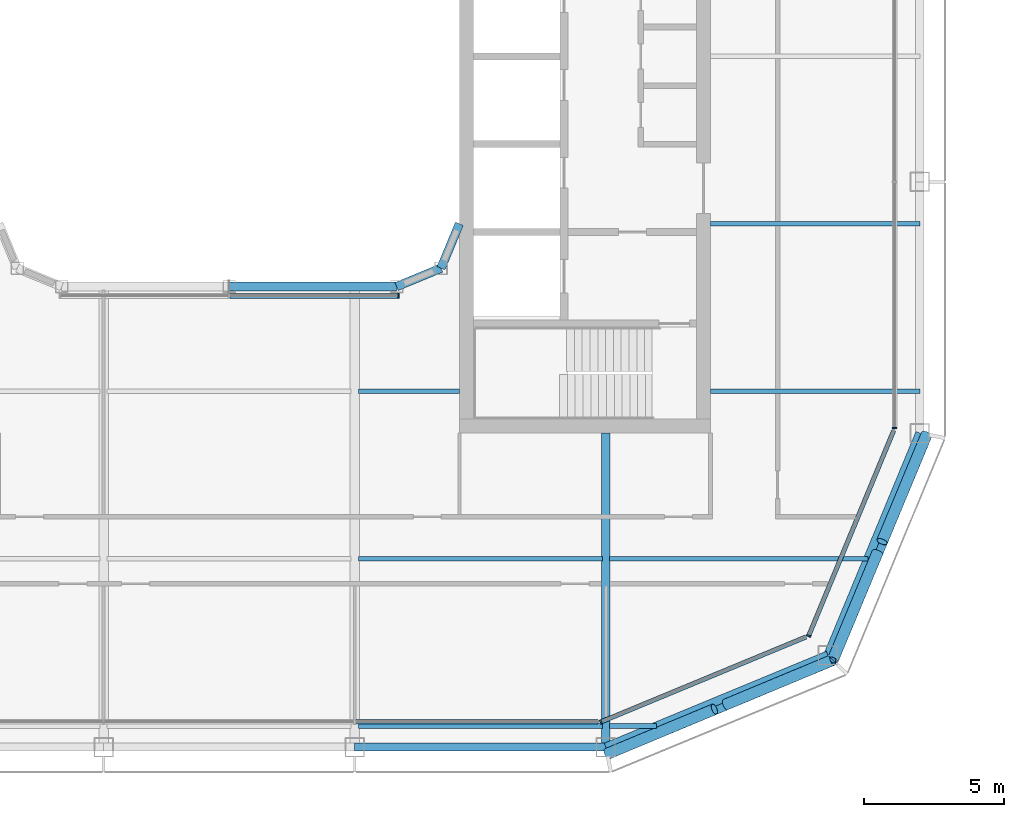
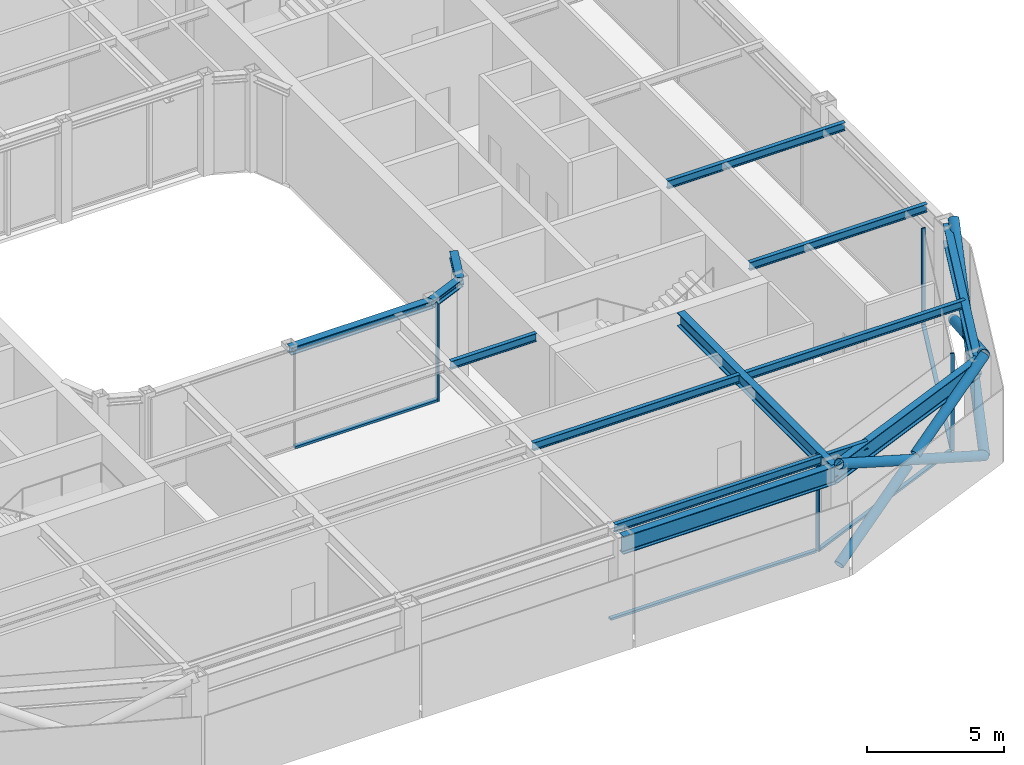
# One storey, part 5 of 21: 14 beams, 14 members, 5 elements without a shape of their own.
"""IFC4 building model written with IfcOpenShell, lengths in metres."""

from ifc_helpers import new_model, si_unit, direction, frame, origin, origin_2d, place, context, subcontext, project, spatial, rectangle, hollow_circle, i_section, extrude, material, layer, layer_set, material_profile, profile_set, type_object, element, aggregate, save


model = new_model("IFC4")

# Units and contexts
model_context = context("Model", 3, precision=1e-05, world=origin(), true_north=direction((0.0, 1.0)))
body_context = subcontext(model_context, "Body", "Model", "MODEL_VIEW")
ifc_project = project(units=[si_unit("LENGTHUNIT", "METRE"), si_unit("AREAUNIT", "SQUARE_METRE"), si_unit("VOLUMEUNIT", "CUBIC_METRE"), si_unit("PLANEANGLEUNIT", "RADIAN"), si_unit("MASSUNIT", "GRAM", prefix="KILO")], contexts=[model_context])

# Site, building, storey
site_placement = place(None, origin())
site = spatial("IfcSite", under=ifc_project, at=site_placement, CompositionType="ELEMENT")
building_placement = place(site_placement, origin())
building = spatial("IfcBuilding", under=site, at=building_placement, Name="Siwar Civic Tower", CompositionType="ELEMENT")
storey_placement = place(building_placement, frame((0.0, 0.0, 325.699951171875)))
storey = spatial("IfcBuildingStorey", under=building, at=storey_placement, Name="L70", CompositionType="ELEMENT", Elevation=325.699951171875)

# Curtain wall, member
ifc_material_1 = material(Name="Aluminium clad insulated panel", Category="aluminium")
ifc_layer_1 = layer(ifc_material_1, 0.159912109375)
ifc_layer_set_1 = layer_set([ifc_layer_1], Name="Aluminium clad insulated panel")
curtain_wall_type_1 = type_object("IfcCurtainWallType", Name="ENV-CW-DX", PredefinedType="NOTDEFINED", material=ifc_layer_set_1)
curtain_wall_1_placement = place(storey_placement, origin())
curtain_wall_1 = element("IfcCurtainWall", 1, at=curtain_wall_1_placement, inside=storey, type_object=curtain_wall_type_1, Name="Curtain wall D SE1", PredefinedType="NOTDEFINED")
ifc_material_2 = material(Name="Aluminium 6063-T6", Category="aluminium")
ifc_material_profile_1 = material_profile(ifc_material_2, rectangle(XDim=0.159912109375, YDim=0.06005859375, at=origin_2d()), Name="AL 160x60")
ifc_profile_set_1 = profile_set([ifc_material_profile_1], Name="Aluminium 6063-T6")
member_type_1 = type_object("IfcMemberType", Name="ENV-MULLION-D", PredefinedType="MULLION", material=ifc_profile_set_1)
member_1_placement = place(storey_placement, frame((13.321044921875, -23.85009765625, 0.0), z_axis=(0.0, 0.0, 1.0), x_axis=(-0.382683432365, 0.923879532511, 0.0)))
member_1 = element("IfcMember", 2, at=member_1_placement, type_object=member_type_1, Name="Mullion D SE1 1", PredefinedType="MULLION", context=body_context, shape_type="SweptSolid", body=[
    extrude(rectangle(XDim=0.159912109375, YDim=0.06005859375, at=origin_2d()), origin(), (0.0, 0.0, 1.0), 4.35009765625),
])

curtain_wall_2_placement = place(storey_placement, origin())
curtain_wall_2 = element("IfcCurtainWall", 3, at=curtain_wall_2_placement, inside=storey, type_object=curtain_wall_type_1, Name="Curtain wall D SE2", PredefinedType="NOTDEFINED")
member_2_placement = place(storey_placement, frame((20.76611328125, -20.76611328125, 0.0), z_axis=(0.0, 0.0, 1.0), x_axis=(-0.923879532511, 0.382683432365, 0.0)))
member_2 = element("IfcMember", 4, at=member_2_placement, type_object=member_type_1, Name="Mullion D SE2 1", PredefinedType="MULLION", context=body_context, shape_type="SweptSolid", body=[
    extrude(rectangle(XDim=0.159912109375, YDim=0.06005859375, at=origin_2d()), origin(), (0.0, 0.0, 1.0), 4.35009765625),
])

ifc_material_3 = material(Name="Aluminium and glass", Category="aluminium")
ifc_layer_2 = layer(ifc_material_3, 0.159912109375)
ifc_layer_set_2 = layer_set([ifc_layer_2], Name="Aluminium and glass")
curtain_wall_type_2 = type_object("IfcCurtainWallType", Name="ENV-CW-D", PredefinedType="NOTDEFINED", material=ifc_layer_set_2)
curtain_wall_3_placement = place(storey_placement, origin())
curtain_wall_3 = element("IfcCurtainWall", 5, at=curtain_wall_3_placement, inside=storey, type_object=curtain_wall_type_2, Name="Curtain wall D E", PredefinedType="NOTDEFINED")
member_3_placement = place(storey_placement, frame((23.85009765625, -13.321044921875, 0.0), z_axis=(0.0, 0.0, 1.0), x_axis=(-1.0, 0.0, 0.0)))
member_3 = element("IfcMember", 6, at=member_3_placement, type_object=member_type_1, Name="Mullion D E 1", PredefinedType="MULLION", context=body_context, shape_type="SweptSolid", body=[
    extrude(rectangle(XDim=0.159912109375, YDim=0.06005859375, at=origin_2d()), origin(), (0.0, 0.0, 1.0), 4.35009765625),
])
aggregate(curtain_wall_3, [member_3])

ifc_material_4 = material(Name="Aluminium and glass", Category="aluminium")
ifc_layer_3 = layer(ifc_material_4, 0.179931640625)
ifc_layer_set_3 = layer_set([ifc_layer_3], Name="Aluminium and glass")
curtain_wall_type_3 = type_object("IfcCurtainWallType", Name="ENV-CW-W", PredefinedType="NOTDEFINED", material=ifc_layer_set_3)
curtain_wall_4_placement = place(storey_placement, origin())
curtain_wall_4 = element("IfcCurtainWall", 7, at=curtain_wall_4_placement, inside=storey, type_object=curtain_wall_type_3, Name="Curtain wall W WS", PredefinedType="NOTDEFINED")
ifc_material_5 = material(Name="Aluminium 6063-T6", Category="aluminium")
ifc_material_profile_2 = material_profile(ifc_material_5, rectangle(XDim=0.179931640625, YDim=0.06005859375, at=origin_2d()), Name="AL 180x60")
ifc_profile_set_2 = profile_set([ifc_material_profile_2], Name="Aluminium 6063-T6")
member_type_2 = type_object("IfcMemberType", Name="ENV-MULLION-W", PredefinedType="MULLION", material=ifc_profile_set_2)
member_4_placement = place(storey_placement, frame((6.066650390625, -8.5849609375, 0.0), z_axis=(0.0, 0.0, 1.0), x_axis=(0.0, 1.0, 0.0)))
member_4 = element("IfcMember", 8, at=member_4_placement, type_object=member_type_2, Name="Mullion W WS 3", PredefinedType="MULLION", context=body_context, shape_type="SweptSolid", body=[
    extrude(rectangle(XDim=0.179931640625, YDim=0.06005859375, at=origin_2d()), origin(), (0.0, 0.0, 1.0), 4.35009765625),
])

curtain_wall_5_placement = place(storey_placement, origin())
curtain_wall_5 = element("IfcCurtainWall", 9, at=curtain_wall_5_placement, inside=storey, type_object=curtain_wall_type_2, Name="Curtain wall D S", PredefinedType="NOTDEFINED")
ifc_material_6 = material(Name="Aluminium 6063-T6", Category="aluminium")
ifc_material_profile_3 = material_profile(ifc_material_6, rectangle(XDim=0.159912109375, YDim=0.10009765625, at=origin_2d()), Name="AL 160x100")
ifc_profile_set_3 = profile_set([ifc_material_profile_3], Name="Aluminium 6063-T6")
member_type_3 = type_object("IfcMemberType", Name="ENV-TRANSOM-D", PredefinedType="USERDEFINED", material=ifc_profile_set_3)
member_5_placement = place(storey_placement, frame((4.530029296875, -23.85009765625, 0.050048828125), z_axis=(1.0, 0.0, 0.0), x_axis=(0.0, 1.0, 0.0)))
member_5 = element("IfcMember", 10, at=member_5_placement, type_object=member_type_3, Name="Transom D S 3", ObjectType="TRANSOM", PredefinedType="USERDEFINED", context=body_context, shape_type="SweptSolid", body=[
    extrude(rectangle(XDim=0.159912109375, YDim=0.10009765625, at=origin_2d()), origin(), (0.0, 0.0, 1.0), 8.693115234375),
])
aggregate(curtain_wall_5, [member_5])

# Member
member_6_placement = place(storey_placement, frame((13.3486328125, -23.838623046875, 0.050048828125), z_axis=(0.923872756612, 0.382699790424, 0.0), x_axis=(-0.382699790424, 0.923872756612, 0.0)))
member_6 = element("IfcMember", 11, at=member_6_placement, type_object=member_type_3, Name="Transom D SE1 1", ObjectType="TRANSOM", PredefinedType="USERDEFINED", context=body_context, shape_type="SweptSolid", body=[
    extrude(rectangle(XDim=0.159912109375, YDim=0.10009765625, at=origin_2d()), origin(), (0.0, 0.0, 1.0), 7.930908203125),
])

aggregate(curtain_wall_1, [member_1, member_6])

member_7_placement = place(storey_placement, frame((20.777587890625, -20.738525390625, 0.050048828125), z_axis=(0.382673515031, 0.923883640343, 0.0), x_axis=(-0.923883640343, 0.382673515031, 0.0)))
member_7 = element("IfcMember", 12, at=member_7_placement, type_object=member_type_3, Name="Transom D SE2 1", ObjectType="TRANSOM", PredefinedType="USERDEFINED", context=body_context, shape_type="SweptSolid", body=[
    extrude(rectangle(XDim=0.159912109375, YDim=0.10009765625, at=origin_2d()), origin(), (0.0, 0.0, 1.0), 7.930908203125),
])

aggregate(curtain_wall_2, [member_2, member_7])

ifc_material_7 = material(Name="Aluminium 6063-T6", Category="aluminium")
ifc_material_profile_4 = material_profile(ifc_material_7, rectangle(XDim=0.179931640625, YDim=0.10009765625, at=origin_2d()), Name="AL 180x100")
ifc_profile_set_4 = profile_set([ifc_material_profile_4], Name="Aluminium 6063-T6")
member_type_4 = type_object("IfcMemberType", Name="ENV-TRANSOM-W", PredefinedType="USERDEFINED", material=ifc_profile_set_4)
member_8_placement = place(storey_placement, frame((0.030029296875, -8.5849609375, 0.050048828125), z_axis=(1.0, 0.0, 0.0), x_axis=(0.0, 1.0, 0.0)))
member_8 = element("IfcMember", 13, at=member_8_placement, type_object=member_type_4, Name="Transom W WS 2", ObjectType="TRANSOM", PredefinedType="USERDEFINED", context=body_context, shape_type="SweptSolid", body=[
    extrude(rectangle(XDim=0.179931640625, YDim=0.10009765625, at=origin_2d()), origin(), (0.0, 0.0, 1.0), 6.006591796875),
])

aggregate(curtain_wall_4, [member_4, member_8])

# Members
ifc_material_8 = material(Name="Steel S355", Category="steel")
ifc_material_profile_5 = material_profile(ifc_material_8, hollow_circle(Radius=0.203125, WallThickness=0.01611328125, at=origin_2d()), Name="CHS406.4x16")
ifc_profile_set_5 = profile_set([ifc_material_profile_5], Name="Steel S355")
member_type_5 = type_object("IfcMemberType", Name="STR-BR-CHS406.4x16", PredefinedType="BRACE", material=ifc_profile_set_5)
member_9_placement = place(storey_placement, frame((21.6318359375, -21.6318359375, 0.0), z_axis=(0.341671493852, 0.821142553604, 0.457149315816), x_axis=(-0.923264922524, 0.384163874976, 0.0)))
element("IfcMember", 14, at=member_9_placement, inside=storey, type_object=member_type_5, Name="L70/brc/DSE1-9-0-1", PredefinedType="BRACE", context=body_context, shape_type="SweptSolid", body=[
    extrude(hollow_circle(Radius=0.203125, WallThickness=0.01611328125, at=origin_2d()), origin(), (0.0, 0.0, 1.0), 9.843505859375),
])
for number, where, z_axis, x_axis, name in (
    (15, (24.9951171875, -13.548828125, 0.0), (-0.341659024948, -0.821130093572, 0.45718101459), (0.923267827529, -0.384156893273, 0.0), "L70/brc/DSE1-9-0-2"),
    (16, (23.229736328125, -17.791259765625, 2.362060546875), (-0.341652533125, -0.821166691915, 0.457120127208), (0.923276488787, -0.38413607648, 0.0), "L70/brc/DSE1-9-0-3"),
):
    element("IfcMember", number, at=place(storey_placement, frame(where, z_axis=z_axis, x_axis=x_axis)), inside=storey, type_object=member_type_5, Name=name, PredefinedType="BRACE", context=body_context, shape_type="SweptSolid", body=[
        extrude(hollow_circle(Radius=0.203125, WallThickness=0.01611328125, at=origin_2d()), origin(), (0.0, 0.0, 1.0), 4.677001953125),
    ])
member_10_placement = place(storey_placement, frame((21.6318359375, -21.6318359375, 0.0), z_axis=(-0.821142553604, -0.341671493852, 0.457149315816), x_axis=(0.384163874976, -0.923264922524, 0.0)))
element("IfcMember", 17, at=member_10_placement, inside=storey, type_object=member_type_5, Name="L70/brc/DSE1-9-0-0", PredefinedType="BRACE", context=body_context, shape_type="SweptSolid", body=[
    extrude(hollow_circle(Radius=0.203125, WallThickness=0.01611328125, at=origin_2d()), origin(), (0.0, 0.0, 1.0), 9.843505859375),
])
for number, where, z_axis, x_axis, name in (
    (18, (13.548828125, -24.9951171875, 0.0), (0.821130093572, 0.341659024948, 0.45718101459), (-0.384156893273, 0.923267827529, 0.0), "L70/brc/DSE1-9-0-4"),
    (19, (17.791259765625, -23.229736328125, 2.362060546875), (0.821166691915, 0.341652533125, 0.457120127208), (-0.38413607648, 0.923276488787, 0.0), "L70/brc/DSE1-9-0-5"),
):
    element("IfcMember", number, at=place(storey_placement, frame(where, z_axis=z_axis, x_axis=x_axis)), inside=storey, type_object=member_type_5, Name=name, PredefinedType="BRACE", context=body_context, shape_type="SweptSolid", body=[
        extrude(hollow_circle(Radius=0.203125, WallThickness=0.01611328125, at=origin_2d()), origin(), (0.0, 0.0, 1.0), 4.677001953125),
    ])

# Beams
ifc_material_9 = material(Name="Steel S355", Category="steel")
ifc_material_profile_6 = material_profile(ifc_material_9, i_section(OverallWidth=0.169921875, OverallDepth=0.360107421875, WebThickness=0.008056640625, FlangeThickness=0.0126953125, FilletRadius=0.01806640625, at=origin_2d()), Name="IPE360")
ifc_profile_set_6 = profile_set([ifc_material_profile_6], Name="Steel S355")
beam_type_1 = type_object("IfcBeamType", Name="STR-FB-IPE360", PredefinedType="JOIST", material=ifc_profile_set_6)
beam_1_placement = place(storey_placement, frame((4.6298828125, -24.0, 4.170166015625), z_axis=(1.0, 0.0, 0.0), x_axis=(0.0, 1.0, 0.0)))
element("IfcBeam", 20, at=beam_1_placement, inside=storey, type_object=beam_type_1, Name="L70/bm/F004", PredefinedType="JOIST", context=body_context, shape_type="SweptSolid", body=[
    extrude(i_section(OverallWidth=0.169921875, OverallDepth=0.360107421875, WebThickness=0.008056640625, FlangeThickness=0.0126953125, FilletRadius=0.01806640625, at=origin_2d()), origin(), (0.0, 0.0, 1.0), 8.740234375),
])
beam_2_placement = place(storey_placement, frame((13.6298828125, -24.0, 4.170166015625), z_axis=(1.0, 0.0, 0.0), x_axis=(0.0, 1.0, 0.0)))
element("IfcBeam", 21, at=beam_2_placement, inside=storey, type_object=beam_type_1, Name="L70/bm/F005", PredefinedType="JOIST", context=body_context, shape_type="SweptSolid", body=[
    extrude(i_section(OverallWidth=0.169921875, OverallDepth=0.360107421875, WebThickness=0.008056640625, FlangeThickness=0.0126953125, FilletRadius=0.01806640625, at=origin_2d()), origin(), (0.0, 0.0, 1.0), 1.6806640625),
])
beam_3_placement = place(storey_placement, frame((4.6298828125, -18.0, 4.170166015625), z_axis=(1.0, 0.0, 0.0), x_axis=(0.0, 1.0, 0.0)))
element("IfcBeam", 22, at=beam_3_placement, inside=storey, type_object=beam_type_1, Name="L70/bm/F009", PredefinedType="JOIST", context=body_context, shape_type="SweptSolid", body=[
    extrude(i_section(OverallWidth=0.169921875, OverallDepth=0.360107421875, WebThickness=0.008056640625, FlangeThickness=0.0126953125, FilletRadius=0.01806640625, at=origin_2d()), origin(), (0.0, 0.0, 1.0), 8.740234375),
])
beam_4_placement = place(storey_placement, frame((13.6298828125, -18.0, 4.170166015625), z_axis=(1.0, 0.0, 0.0), x_axis=(0.0, 1.0, 0.0)))
element("IfcBeam", 23, at=beam_4_placement, inside=storey, type_object=beam_type_1, Name="L70/bm/F010", PredefinedType="JOIST", context=body_context, shape_type="SweptSolid", body=[
    extrude(i_section(OverallWidth=0.169921875, OverallDepth=0.360107421875, WebThickness=0.008056640625, FlangeThickness=0.0126953125, FilletRadius=0.01806640625, at=origin_2d()), origin(), (0.0, 0.0, 1.0), 9.256103515625),
])
beam_5_placement = place(storey_placement, frame((4.6298828125, -12.0, 4.170166015625), z_axis=(1.0, 0.0, 0.0), x_axis=(0.0, 1.0, 0.0)))
element("IfcBeam", 24, at=beam_5_placement, inside=storey, type_object=beam_type_1, Name="L70/bm/F014", PredefinedType="JOIST", context=body_context, shape_type="SweptSolid", body=[
    extrude(i_section(OverallWidth=0.169921875, OverallDepth=0.360107421875, WebThickness=0.008056640625, FlangeThickness=0.0126953125, FilletRadius=0.01806640625, at=origin_2d()), origin(), (0.0, 0.0, 1.0), 3.6201171875),
])
for number, where, z_axis, x_axis, name in (
    (25, (17.25, -12.0, 4.170166015625), (1.0, 0.0, 0.0), (0.0, 1.0, 0.0), "L70/bm/F015"),
    (26, (17.25, -6.0, 4.170166015625), (1.0, 0.0, 0.0), (0.0, 1.0, 0.0), "L70/bm/F017"),
):
    element("IfcBeam", number, at=place(storey_placement, frame(where, z_axis=z_axis, x_axis=x_axis)), inside=storey, type_object=beam_type_1, Name=name, PredefinedType="JOIST", context=body_context, shape_type="SweptSolid", body=[
        extrude(i_section(OverallWidth=0.169921875, OverallDepth=0.360107421875, WebThickness=0.008056640625, FlangeThickness=0.0126953125, FilletRadius=0.01806640625, at=origin_2d()), origin(), (0.0, 0.0, 1.0), 7.5),
    ])
ifc_material_10 = material(Name="Steel S355", Category="steel")
ifc_material_profile_7 = material_profile(ifc_material_10, i_section(OverallWidth=0.300048828125, OverallDepth=0.60009765625, WebThickness=0.015380859375, FlangeThickness=0.030029296875, FilletRadius=0.027099609375, at=origin_2d()), Name="HEB600")
ifc_profile_set_7 = profile_set([ifc_material_profile_7], Name="Steel S355")
beam_type_2 = type_object("IfcBeamType", Name="STR-PG-HEB600", PredefinedType="BEAM", material=ifc_profile_set_7)
beam_6_placement = place(storey_placement, frame((13.5, -24.75, 4.050048828125), z_axis=(0.0, 1.0, 0.0), x_axis=(-1.0, 0.0, 0.0)))
element("IfcBeam", 27, at=beam_6_placement, inside=storey, type_object=beam_type_2, Name="L70/bm/G07", PredefinedType="BEAM", context=body_context, shape_type="SweptSolid", body=[
    extrude(i_section(OverallWidth=0.300048828125, OverallDepth=0.60009765625, WebThickness=0.015380859375, FlangeThickness=0.030029296875, FilletRadius=0.027099609375, at=origin_2d()), origin(), (0.0, 0.0, 1.0), 11.25),
])
ifc_material_11 = material(Name="Steel S355", Category="steel")
ifc_material_profile_8 = material_profile(ifc_material_11, i_section(OverallWidth=0.31005859375, OverallDepth=0.340087890625, WebThickness=0.02099609375, FlangeThickness=0.0390625, FilletRadius=0.027099609375, at=origin_2d()), Name="HEM300")
ifc_profile_set_8 = profile_set([ifc_material_profile_8], Name="Steel S355")
beam_type_3 = type_object("IfcBeamType", Name="STR-RB-HEM300", PredefinedType="BEAM", material=ifc_profile_set_8)
beam_7_placement = place(storey_placement, frame((0.0, -8.25, 4.179931640625), z_axis=(1.0, 0.0, 0.0), x_axis=(0.0, 1.0, 0.0)))
element("IfcBeam", 28, at=beam_7_placement, inside=storey, type_object=beam_type_3, Name="L70/bm/RS2", PredefinedType="BEAM", context=body_context, shape_type="SweptSolid", body=[
    extrude(i_section(OverallWidth=0.31005859375, OverallDepth=0.340087890625, WebThickness=0.02099609375, FlangeThickness=0.0390625, FilletRadius=0.027099609375, at=origin_2d()), origin(), (0.0, 0.0, 1.0), 6.0),
])
for number, where, z_axis, x_axis, name in (
    (29, (6.0, -8.25, 4.179931640625), (0.923901072997, 0.382631424892, 0.0), (-0.382631424892, 0.923901072997, 0.0), "L70/bm/RS3"),
    (30, (7.591064453125, -7.591064453125, 4.179931640625), (0.382631424892, 0.923901072997, 0.0), (-0.923901072997, 0.382631424892, 0.0), "L70/bm/RSEE"),
):
    element("IfcBeam", number, at=place(storey_placement, frame(where, z_axis=z_axis, x_axis=x_axis)), inside=storey, type_object=beam_type_3, Name=name, PredefinedType="BEAM", context=body_context, shape_type="SweptSolid", body=[
        extrude(i_section(OverallWidth=0.31005859375, OverallDepth=0.340087890625, WebThickness=0.02099609375, FlangeThickness=0.0390625, FilletRadius=0.027099609375, at=origin_2d()), origin(), (0.0, 0.0, 1.0), 1.72216796875),
    ])
ifc_material_12 = material(Name="Steel S355", Category="steel")
ifc_material_profile_9 = material_profile(ifc_material_12, i_section(OverallWidth=0.300048828125, OverallDepth=0.800048828125, WebThickness=0.017578125, FlangeThickness=0.032958984375, FilletRadius=0.030029296875, at=origin_2d()), Name="HEB800")
ifc_profile_set_9 = profile_set([ifc_material_profile_9], Name="Steel S355")
beam_type_4 = type_object("IfcBeamType", Name="STR-SB-HEB800", PredefinedType="BEAM", material=ifc_profile_set_9)
beam_8_placement = place(storey_placement, frame((4.5, -24.75, 3.949951171875), z_axis=(1.0, 0.0, 0.0), x_axis=(0.0, 1.0, 0.0)))
element("IfcBeam", 31, at=beam_8_placement, inside=storey, type_object=beam_type_4, Name="L70/bm/SS-2", PredefinedType="BEAM", context=body_context, shape_type="SweptSolid", body=[
    extrude(i_section(OverallWidth=0.300048828125, OverallDepth=0.800048828125, WebThickness=0.017578125, FlangeThickness=0.032958984375, FilletRadius=0.030029296875, at=origin_2d()), origin(), (0.0, 0.0, 1.0), 9.0),
])
for number, where, z_axis, x_axis, name in (
    (32, (13.5, -24.75, 3.949951171875), (0.923872720536, 0.382699877515, 0.0), (-0.382699877515, 0.923872720536, 0.0), "L70/bm/SSE1-0"),
    (33, (21.454833984375, -21.454833984375, 3.949951171875), (0.382699877515, 0.923872720536, 0.0), (-0.923872720536, 0.382699877515, 0.0), "L70/bm/SSE2-0"),
):
    element("IfcBeam", number, at=place(storey_placement, frame(where, z_axis=z_axis, x_axis=x_axis)), inside=storey, type_object=beam_type_4, Name=name, PredefinedType="BEAM", context=body_context, shape_type="SweptSolid", body=[
        extrude(i_section(OverallWidth=0.300048828125, OverallDepth=0.800048828125, WebThickness=0.017578125, FlangeThickness=0.032958984375, FilletRadius=0.030029296875, at=origin_2d()), origin(), (0.0, 0.0, 1.0), 8.6103515625),
    ])

save(model, "model.ifc")
